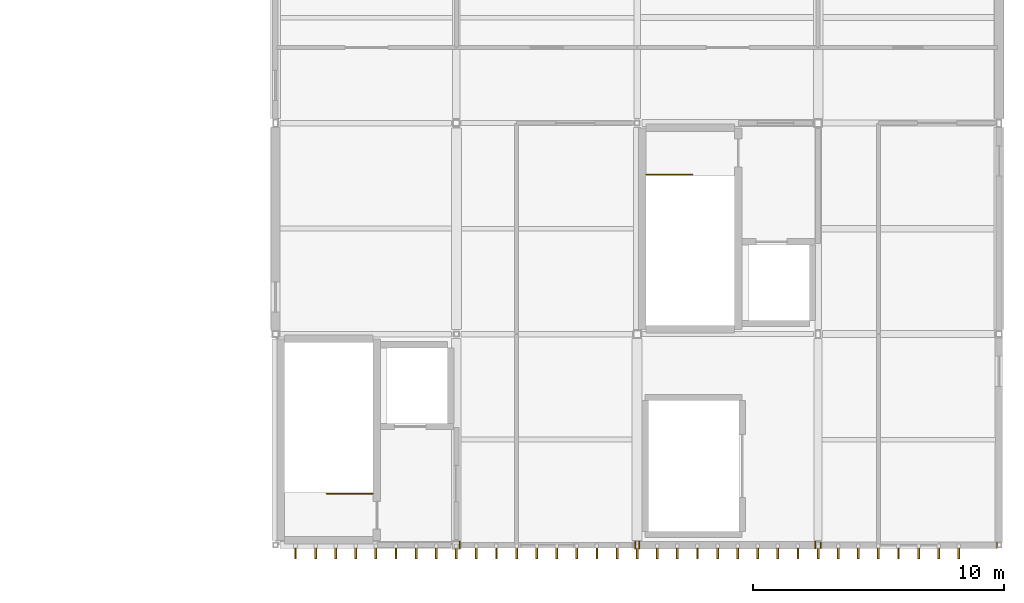
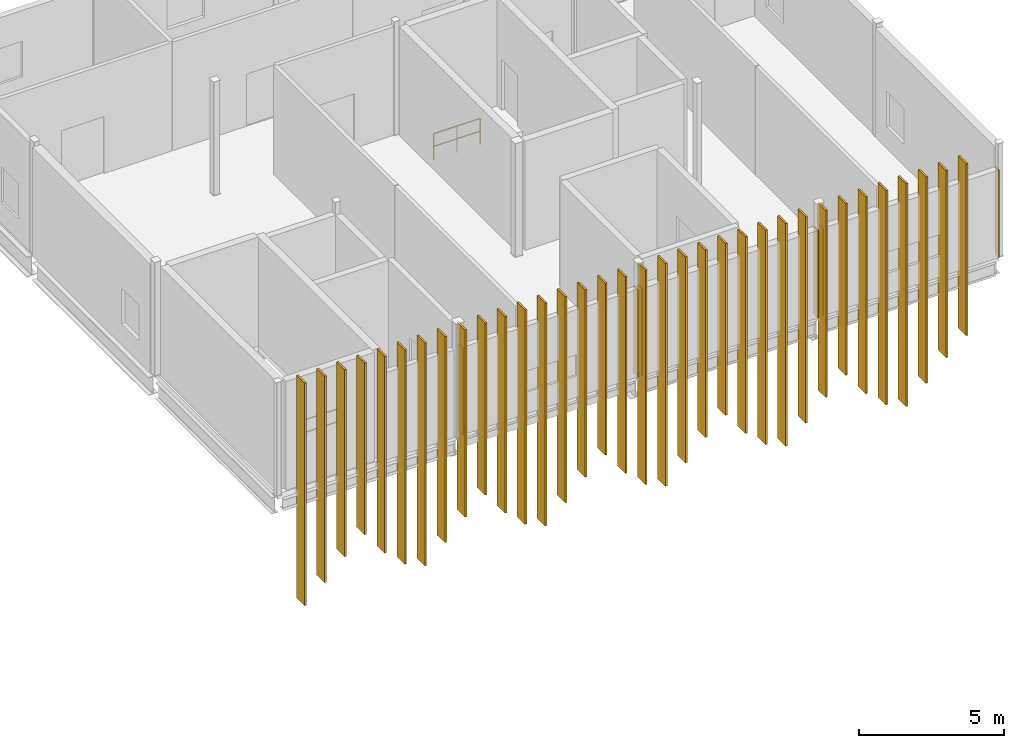
# One storey, part 26 of 27: 40 coverings, 2 railings.
"""IFC4 building model written with IfcOpenShell, lengths in metres."""

from ifc_helpers import new_model, si_unit, direction, frame, origin, origin_2d, place, context, subcontext, project, spatial, polyline, rectangle, circle, outline, extrude, material, layer, layer_set, type_object, element, save


model = new_model("IFC4")

# Units and contexts
model_context = context("Model", 3, precision=1e-05, world=origin(), true_north=direction((0.0, 1.0)))
body_context = subcontext(model_context, "Body", "Model", "MODEL_VIEW")
ifc_project = project(units=[si_unit("LENGTHUNIT", "METRE"), si_unit("AREAUNIT", "SQUARE_METRE"), si_unit("VOLUMEUNIT", "CUBIC_METRE"), si_unit("PLANEANGLEUNIT", "RADIAN"), si_unit("MASSUNIT", "GRAM", prefix="KILO")], contexts=[model_context])

# Site, building, storey
site_placement = place(None, origin())
site = spatial("IfcSite", under=ifc_project, at=site_placement, CompositionType="ELEMENT")
building_placement = place(site_placement, origin())
building = spatial("IfcBuilding", under=site, at=building_placement, Name="Calvrana Isthmian Art Gallery", CompositionType="ELEMENT")
storey_placement = place(building_placement, frame((0.0, 0.0, 24.60009765625)))
storey = spatial("IfcBuildingStorey", under=building, at=storey_placement, Name="L05", CompositionType="ELEMENT", Elevation=24.60009765625)

# Coverings
ifc_material_1 = material(Name="Polychrome glazed terracotta", Category="masonry")
ifc_layer_1 = layer(ifc_material_1, 0.0400390625, Name="Polychrome glazed terracotta")
ifc_layer_set_1 = layer_set([ifc_layer_1], Name="Polychrome glazed terracotta")
covering_type_1 = type_object("IfcCoveringType", Name="COV-CLAD-TERRA", PredefinedType="CLADDING", material=ifc_layer_set_1)
covering_1_placement = place(storey_placement, origin())
element("IfcCovering", 1, at=covering_1_placement, inside=storey, type_object=covering_type_1, Name="Column pocket weather closure L05-15-03-W", PredefinedType="CLADDING", context=body_context, shape_type="SweptSolid", body=[
    extrude(outline(polyline([(120.1123046875, 21.45263671875), (120.15234375, 21.45263671875), (120.15234375, 21.747314453125), (120.1123046875, 21.747314453125), (120.1123046875, 21.45263671875)])), origin(), (0.0, 0.0, 1.0), 3.69482421875),
])
covering_2_placement = place(storey_placement, origin())
element("IfcCovering", 2, at=covering_2_placement, inside=storey, type_object=covering_type_1, Name="Column pocket weather closure L05-15-03-E", PredefinedType="CLADDING", context=body_context, shape_type="SweptSolid", body=[
    extrude(outline(polyline([(127.098388671875, 21.45263671875), (127.138427734375, 21.45263671875), (127.138427734375, 21.747314453125), (127.098388671875, 21.747314453125), (127.098388671875, 21.45263671875)])), origin(), (0.0, 0.0, 1.0), 3.69482421875),
])
covering_3_placement = place(storey_placement, origin())
element("IfcCovering", 3, at=covering_3_placement, inside=storey, type_object=covering_type_1, Name="Column pocket weather closure L05-16-03-W", PredefinedType="CLADDING", context=body_context, shape_type="SweptSolid", body=[
    extrude(outline(polyline([(127.26171875, 21.449951171875), (127.301513671875, 21.449951171875), (127.301513671875, 21.75), (127.26171875, 21.75), (127.26171875, 21.449951171875)])), origin(), (0.0, 0.0, 1.0), 3.69482421875),
])
covering_4_placement = place(storey_placement, origin())
element("IfcCovering", 4, at=covering_4_placement, inside=storey, type_object=covering_type_1, Name="Column pocket weather closure L05-16-03-E", PredefinedType="CLADDING", context=body_context, shape_type="SweptSolid", body=[
    extrude(outline(polyline([(134.27294921875, 21.449951171875), (134.31298828125, 21.449951171875), (134.31298828125, 21.75), (134.27294921875, 21.75), (134.27294921875, 21.449951171875)])), origin(), (0.0, 0.0, 1.0), 3.69482421875),
])
covering_5_placement = place(storey_placement, origin())
element("IfcCovering", 5, at=covering_5_placement, inside=storey, type_object=covering_type_1, Name="Column pocket weather closure L05-17-03-W", PredefinedType="CLADDING", context=body_context, shape_type="SweptSolid", body=[
    extrude(outline(polyline([(134.487060546875, 21.47509765625), (134.527099609375, 21.47509765625), (134.527099609375, 21.72509765625), (134.487060546875, 21.72509765625), (134.487060546875, 21.47509765625)])), origin(), (0.0, 0.0, 1.0), 3.69482421875),
])
covering_6_placement = place(storey_placement, origin())
element("IfcCovering", 6, at=covering_6_placement, inside=storey, type_object=covering_type_1, Name="Column pocket weather closure L05-17-03-E", PredefinedType="CLADDING", context=body_context, shape_type="SweptSolid", body=[
    extrude(outline(polyline([(141.498291015625, 21.47509765625), (141.538330078125, 21.47509765625), (141.538330078125, 21.72509765625), (141.498291015625, 21.72509765625), (141.498291015625, 21.47509765625)])), origin(), (0.0, 0.0, 1.0), 3.69482421875),
])
ifc_material_2 = material(Name="Anodized bronze aluminium 6063-T6", Category="aluminium")
ifc_layer_2 = layer(ifc_material_2, 0.074951171875, Name="Anodized bronze aluminium 6063-T6")
ifc_layer_set_2 = layer_set([ifc_layer_2], Name="Anodized bronze aluminium 6063-T6")
covering_type_2 = type_object("IfcCoveringType", Name="COV-FIN-550", PredefinedType="CLADDING", material=ifc_layer_set_2)
covering_7_placement = place(storey_placement, frame((113.60009765625, 21.326904296875, -4.650146484375), z_axis=(0.0, 0.0, 1.0), x_axis=(1.0, 0.0, 0.0)))
element("IfcCovering", 7, at=covering_7_placement, inside=storey, type_object=covering_type_2, Name="Anodized bronze vertical solar fin FN-223", PredefinedType="CLADDING", context=body_context, shape_type="SweptSolid", body=[
    extrude(rectangle(XDim=0.074951171875, YDim=0.550048828125, at=origin_2d()), origin(), (0.0, 0.0, 1.0), 9.39990234375),
])
covering_8_placement = place(storey_placement, frame((114.39990234375, 21.326904296875, -3.9501953125), z_axis=(0.0, 0.0, 1.0), x_axis=(1.0, 0.0, 0.0)))
element("IfcCovering", 8, at=covering_8_placement, inside=storey, type_object=covering_type_2, Name="Anodized bronze vertical solar fin FN-224", PredefinedType="CLADDING", context=body_context, shape_type="SweptSolid", body=[
    extrude(rectangle(XDim=0.074951171875, YDim=0.550048828125, at=origin_2d()), origin(), (0.0, 0.0, 1.0), 8.699951171875),
])
covering_9_placement = place(storey_placement, frame((115.199951171875, 21.326904296875, -3.150146484375), z_axis=(0.0, 0.0, 1.0), x_axis=(1.0, 0.0, 0.0)))
element("IfcCovering", 9, at=covering_9_placement, inside=storey, type_object=covering_type_2, Name="Anodized bronze vertical solar fin FN-225", PredefinedType="CLADDING", context=body_context, shape_type="SweptSolid", body=[
    extrude(rectangle(XDim=0.074951171875, YDim=0.550048828125, at=origin_2d()), origin(), (0.0, 0.0, 1.0), 7.89990234375),
])
covering_10_placement = place(storey_placement, frame((116.0, 21.326904296875, -2.5), z_axis=(0.0, 0.0, 1.0), x_axis=(1.0, 0.0, 0.0)))
element("IfcCovering", 10, at=covering_10_placement, inside=storey, type_object=covering_type_2, Name="Anodized bronze vertical solar fin FN-226", PredefinedType="CLADDING", context=body_context, shape_type="SweptSolid", body=[
    extrude(rectangle(XDim=0.074951171875, YDim=0.550048828125, at=origin_2d()), origin(), (0.0, 0.0, 1.0), 7.25),
])
covering_11_placement = place(storey_placement, frame((116.800048828125, 21.326904296875, -3.55029296875), z_axis=(0.0, 0.0, 1.0), x_axis=(1.0, 0.0, 0.0)))
element("IfcCovering", 11, at=covering_11_placement, inside=storey, type_object=covering_type_2, Name="Anodized bronze vertical solar fin FN-227", PredefinedType="CLADDING", context=body_context, shape_type="SweptSolid", body=[
    extrude(rectangle(XDim=0.074951171875, YDim=0.550048828125, at=origin_2d()), origin(), (0.0, 0.0, 1.0), 8.300048828125),
])
covering_12_placement = place(storey_placement, frame((117.60009765625, 21.326904296875, -4.30029296875), z_axis=(0.0, 0.0, 1.0), x_axis=(1.0, 0.0, 0.0)))
element("IfcCovering", 12, at=covering_12_placement, inside=storey, type_object=covering_type_2, Name="Anodized bronze vertical solar fin FN-228", PredefinedType="CLADDING", context=body_context, shape_type="SweptSolid", body=[
    extrude(rectangle(XDim=0.074951171875, YDim=0.550048828125, at=origin_2d()), origin(), (0.0, 0.0, 1.0), 9.050048828125),
])
covering_13_placement = place(storey_placement, frame((118.39990234375, 21.326904296875, -4.650146484375), z_axis=(0.0, 0.0, 1.0), x_axis=(1.0, 0.0, 0.0)))
element("IfcCovering", 13, at=covering_13_placement, inside=storey, type_object=covering_type_2, Name="Anodized bronze vertical solar fin FN-229", PredefinedType="CLADDING", context=body_context, shape_type="SweptSolid", body=[
    extrude(rectangle(XDim=0.074951171875, YDim=0.550048828125, at=origin_2d()), origin(), (0.0, 0.0, 1.0), 9.39990234375),
])
covering_14_placement = place(storey_placement, frame((119.199951171875, 21.326904296875, -3.9501953125), z_axis=(0.0, 0.0, 1.0), x_axis=(1.0, 0.0, 0.0)))
element("IfcCovering", 14, at=covering_14_placement, inside=storey, type_object=covering_type_2, Name="Anodized bronze vertical solar fin FN-230", PredefinedType="CLADDING", context=body_context, shape_type="SweptSolid", body=[
    extrude(rectangle(XDim=0.074951171875, YDim=0.550048828125, at=origin_2d()), origin(), (0.0, 0.0, 1.0), 8.699951171875),
])
covering_15_placement = place(storey_placement, frame((120.0, 21.326904296875, -3.150146484375), z_axis=(0.0, 0.0, 1.0), x_axis=(1.0, 0.0, 0.0)))
element("IfcCovering", 15, at=covering_15_placement, inside=storey, type_object=covering_type_2, Name="Anodized bronze vertical solar fin FN-231", PredefinedType="CLADDING", context=body_context, shape_type="SweptSolid", body=[
    extrude(rectangle(XDim=0.074951171875, YDim=0.550048828125, at=origin_2d()), origin(), (0.0, 0.0, 1.0), 7.89990234375),
])
covering_16_placement = place(storey_placement, frame((120.800048828125, 21.326904296875, -2.5), z_axis=(0.0, 0.0, 1.0), x_axis=(1.0, 0.0, 0.0)))
element("IfcCovering", 16, at=covering_16_placement, inside=storey, type_object=covering_type_2, Name="Anodized bronze vertical solar fin FN-232", PredefinedType="CLADDING", context=body_context, shape_type="SweptSolid", body=[
    extrude(rectangle(XDim=0.074951171875, YDim=0.550048828125, at=origin_2d()), origin(), (0.0, 0.0, 1.0), 7.25),
])
covering_17_placement = place(storey_placement, frame((121.60009765625, 21.326904296875, -3.55029296875), z_axis=(0.0, 0.0, 1.0), x_axis=(1.0, 0.0, 0.0)))
element("IfcCovering", 17, at=covering_17_placement, inside=storey, type_object=covering_type_2, Name="Anodized bronze vertical solar fin FN-233", PredefinedType="CLADDING", context=body_context, shape_type="SweptSolid", body=[
    extrude(rectangle(XDim=0.074951171875, YDim=0.550048828125, at=origin_2d()), origin(), (0.0, 0.0, 1.0), 8.300048828125),
])
covering_18_placement = place(storey_placement, frame((122.39990234375, 21.326904296875, -4.30029296875), z_axis=(0.0, 0.0, 1.0), x_axis=(1.0, 0.0, 0.0)))
element("IfcCovering", 18, at=covering_18_placement, inside=storey, type_object=covering_type_2, Name="Anodized bronze vertical solar fin FN-234", PredefinedType="CLADDING", context=body_context, shape_type="SweptSolid", body=[
    extrude(rectangle(XDim=0.074951171875, YDim=0.550048828125, at=origin_2d()), origin(), (0.0, 0.0, 1.0), 9.050048828125),
])
covering_19_placement = place(storey_placement, frame((123.199951171875, 21.326904296875, -4.650146484375), z_axis=(0.0, 0.0, 1.0), x_axis=(1.0, 0.0, 0.0)))
element("IfcCovering", 19, at=covering_19_placement, inside=storey, type_object=covering_type_2, Name="Anodized bronze vertical solar fin FN-235", PredefinedType="CLADDING", context=body_context, shape_type="SweptSolid", body=[
    extrude(rectangle(XDim=0.074951171875, YDim=0.550048828125, at=origin_2d()), origin(), (0.0, 0.0, 1.0), 9.39990234375),
])
covering_20_placement = place(storey_placement, frame((124.0, 21.326904296875, -3.9501953125), z_axis=(0.0, 0.0, 1.0), x_axis=(1.0, 0.0, 0.0)))
element("IfcCovering", 20, at=covering_20_placement, inside=storey, type_object=covering_type_2, Name="Anodized bronze vertical solar fin FN-236", PredefinedType="CLADDING", context=body_context, shape_type="SweptSolid", body=[
    extrude(rectangle(XDim=0.074951171875, YDim=0.550048828125, at=origin_2d()), origin(), (0.0, 0.0, 1.0), 8.699951171875),
])
covering_21_placement = place(storey_placement, frame((124.800048828125, 21.326904296875, -3.150146484375), z_axis=(0.0, 0.0, 1.0), x_axis=(1.0, 0.0, 0.0)))
element("IfcCovering", 21, at=covering_21_placement, inside=storey, type_object=covering_type_2, Name="Anodized bronze vertical solar fin FN-237", PredefinedType="CLADDING", context=body_context, shape_type="SweptSolid", body=[
    extrude(rectangle(XDim=0.074951171875, YDim=0.550048828125, at=origin_2d()), origin(), (0.0, 0.0, 1.0), 7.89990234375),
])
covering_22_placement = place(storey_placement, frame((125.60009765625, 21.326904296875, -2.5), z_axis=(0.0, 0.0, 1.0), x_axis=(1.0, 0.0, 0.0)))
element("IfcCovering", 22, at=covering_22_placement, inside=storey, type_object=covering_type_2, Name="Anodized bronze vertical solar fin FN-238", PredefinedType="CLADDING", context=body_context, shape_type="SweptSolid", body=[
    extrude(rectangle(XDim=0.074951171875, YDim=0.550048828125, at=origin_2d()), origin(), (0.0, 0.0, 1.0), 7.25),
])
covering_23_placement = place(storey_placement, frame((126.39990234375, 21.326904296875, -3.55029296875), z_axis=(0.0, 0.0, 1.0), x_axis=(1.0, 0.0, 0.0)))
element("IfcCovering", 23, at=covering_23_placement, inside=storey, type_object=covering_type_2, Name="Anodized bronze vertical solar fin FN-239", PredefinedType="CLADDING", context=body_context, shape_type="SweptSolid", body=[
    extrude(rectangle(XDim=0.074951171875, YDim=0.550048828125, at=origin_2d()), origin(), (0.0, 0.0, 1.0), 8.300048828125),
])
covering_24_placement = place(storey_placement, frame((127.199951171875, 21.326904296875, -4.30029296875), z_axis=(0.0, 0.0, 1.0), x_axis=(1.0, 0.0, 0.0)))
element("IfcCovering", 24, at=covering_24_placement, inside=storey, type_object=covering_type_2, Name="Anodized bronze vertical solar fin FN-240", PredefinedType="CLADDING", context=body_context, shape_type="SweptSolid", body=[
    extrude(rectangle(XDim=0.074951171875, YDim=0.550048828125, at=origin_2d()), origin(), (0.0, 0.0, 1.0), 9.050048828125),
])
covering_25_placement = place(storey_placement, frame((128.0, 21.326904296875, -4.650146484375), z_axis=(0.0, 0.0, 1.0), x_axis=(1.0, 0.0, 0.0)))
element("IfcCovering", 25, at=covering_25_placement, inside=storey, type_object=covering_type_2, Name="Anodized bronze vertical solar fin FN-241", PredefinedType="CLADDING", context=body_context, shape_type="SweptSolid", body=[
    extrude(rectangle(XDim=0.074951171875, YDim=0.550048828125, at=origin_2d()), origin(), (0.0, 0.0, 1.0), 9.39990234375),
])
covering_26_placement = place(storey_placement, frame((128.800048828125, 21.326904296875, -3.9501953125), z_axis=(0.0, 0.0, 1.0), x_axis=(1.0, 0.0, 0.0)))
element("IfcCovering", 26, at=covering_26_placement, inside=storey, type_object=covering_type_2, Name="Anodized bronze vertical solar fin FN-242", PredefinedType="CLADDING", context=body_context, shape_type="SweptSolid", body=[
    extrude(rectangle(XDim=0.074951171875, YDim=0.550048828125, at=origin_2d()), origin(), (0.0, 0.0, 1.0), 8.699951171875),
])
covering_27_placement = place(storey_placement, frame((129.60009765625, 21.326904296875, -3.150146484375), z_axis=(0.0, 0.0, 1.0), x_axis=(1.0, 0.0, 0.0)))
element("IfcCovering", 27, at=covering_27_placement, inside=storey, type_object=covering_type_2, Name="Anodized bronze vertical solar fin FN-243", PredefinedType="CLADDING", context=body_context, shape_type="SweptSolid", body=[
    extrude(rectangle(XDim=0.074951171875, YDim=0.550048828125, at=origin_2d()), origin(), (0.0, 0.0, 1.0), 7.89990234375),
])
covering_28_placement = place(storey_placement, frame((130.39990234375, 21.326904296875, -2.5), z_axis=(0.0, 0.0, 1.0), x_axis=(1.0, 0.0, 0.0)))
element("IfcCovering", 28, at=covering_28_placement, inside=storey, type_object=covering_type_2, Name="Anodized bronze vertical solar fin FN-244", PredefinedType="CLADDING", context=body_context, shape_type="SweptSolid", body=[
    extrude(rectangle(XDim=0.074951171875, YDim=0.550048828125, at=origin_2d()), origin(), (0.0, 0.0, 1.0), 7.25),
])
covering_29_placement = place(storey_placement, frame((131.199951171875, 21.326904296875, -3.55029296875), z_axis=(0.0, 0.0, 1.0), x_axis=(1.0, 0.0, 0.0)))
element("IfcCovering", 29, at=covering_29_placement, inside=storey, type_object=covering_type_2, Name="Anodized bronze vertical solar fin FN-245", PredefinedType="CLADDING", context=body_context, shape_type="SweptSolid", body=[
    extrude(rectangle(XDim=0.074951171875, YDim=0.550048828125, at=origin_2d()), origin(), (0.0, 0.0, 1.0), 8.300048828125),
])
covering_30_placement = place(storey_placement, frame((132.0, 21.326904296875, -4.30029296875), z_axis=(0.0, 0.0, 1.0), x_axis=(1.0, 0.0, 0.0)))
element("IfcCovering", 30, at=covering_30_placement, inside=storey, type_object=covering_type_2, Name="Anodized bronze vertical solar fin FN-246", PredefinedType="CLADDING", context=body_context, shape_type="SweptSolid", body=[
    extrude(rectangle(XDim=0.074951171875, YDim=0.550048828125, at=origin_2d()), origin(), (0.0, 0.0, 1.0), 9.050048828125),
])
covering_31_placement = place(storey_placement, frame((132.800048828125, 21.326904296875, -4.650146484375), z_axis=(0.0, 0.0, 1.0), x_axis=(1.0, 0.0, 0.0)))
element("IfcCovering", 31, at=covering_31_placement, inside=storey, type_object=covering_type_2, Name="Anodized bronze vertical solar fin FN-247", PredefinedType="CLADDING", context=body_context, shape_type="SweptSolid", body=[
    extrude(rectangle(XDim=0.074951171875, YDim=0.550048828125, at=origin_2d()), origin(), (0.0, 0.0, 1.0), 9.39990234375),
])
covering_32_placement = place(storey_placement, frame((133.60009765625, 21.326904296875, -3.9501953125), z_axis=(0.0, 0.0, 1.0), x_axis=(1.0, 0.0, 0.0)))
element("IfcCovering", 32, at=covering_32_placement, inside=storey, type_object=covering_type_2, Name="Anodized bronze vertical solar fin FN-248", PredefinedType="CLADDING", context=body_context, shape_type="SweptSolid", body=[
    extrude(rectangle(XDim=0.074951171875, YDim=0.550048828125, at=origin_2d()), origin(), (0.0, 0.0, 1.0), 8.699951171875),
])
covering_33_placement = place(storey_placement, frame((134.39990234375, 21.326904296875, -3.150146484375), z_axis=(0.0, 0.0, 1.0), x_axis=(1.0, 0.0, 0.0)))
element("IfcCovering", 33, at=covering_33_placement, inside=storey, type_object=covering_type_2, Name="Anodized bronze vertical solar fin FN-249", PredefinedType="CLADDING", context=body_context, shape_type="SweptSolid", body=[
    extrude(rectangle(XDim=0.074951171875, YDim=0.550048828125, at=origin_2d()), origin(), (0.0, 0.0, 1.0), 7.89990234375),
])
covering_34_placement = place(storey_placement, frame((135.199951171875, 21.326904296875, -2.5), z_axis=(0.0, 0.0, 1.0), x_axis=(1.0, 0.0, 0.0)))
element("IfcCovering", 34, at=covering_34_placement, inside=storey, type_object=covering_type_2, Name="Anodized bronze vertical solar fin FN-250", PredefinedType="CLADDING", context=body_context, shape_type="SweptSolid", body=[
    extrude(rectangle(XDim=0.074951171875, YDim=0.550048828125, at=origin_2d()), origin(), (0.0, 0.0, 1.0), 7.25),
])
covering_35_placement = place(storey_placement, frame((136.0, 21.326904296875, -3.55029296875), z_axis=(0.0, 0.0, 1.0), x_axis=(1.0, 0.0, 0.0)))
element("IfcCovering", 35, at=covering_35_placement, inside=storey, type_object=covering_type_2, Name="Anodized bronze vertical solar fin FN-251", PredefinedType="CLADDING", context=body_context, shape_type="SweptSolid", body=[
    extrude(rectangle(XDim=0.074951171875, YDim=0.550048828125, at=origin_2d()), origin(), (0.0, 0.0, 1.0), 8.300048828125),
])
covering_36_placement = place(storey_placement, frame((136.800048828125, 21.326904296875, -4.30029296875), z_axis=(0.0, 0.0, 1.0), x_axis=(1.0, 0.0, 0.0)))
element("IfcCovering", 36, at=covering_36_placement, inside=storey, type_object=covering_type_2, Name="Anodized bronze vertical solar fin FN-252", PredefinedType="CLADDING", context=body_context, shape_type="SweptSolid", body=[
    extrude(rectangle(XDim=0.074951171875, YDim=0.550048828125, at=origin_2d()), origin(), (0.0, 0.0, 1.0), 9.050048828125),
])
covering_37_placement = place(storey_placement, frame((137.60009765625, 21.326904296875, -4.650146484375), z_axis=(0.0, 0.0, 1.0), x_axis=(1.0, 0.0, 0.0)))
element("IfcCovering", 37, at=covering_37_placement, inside=storey, type_object=covering_type_2, Name="Anodized bronze vertical solar fin FN-253", PredefinedType="CLADDING", context=body_context, shape_type="SweptSolid", body=[
    extrude(rectangle(XDim=0.074951171875, YDim=0.550048828125, at=origin_2d()), origin(), (0.0, 0.0, 1.0), 9.39990234375),
])
covering_38_placement = place(storey_placement, frame((138.39990234375, 21.326904296875, -3.9501953125), z_axis=(0.0, 0.0, 1.0), x_axis=(1.0, 0.0, 0.0)))
element("IfcCovering", 38, at=covering_38_placement, inside=storey, type_object=covering_type_2, Name="Anodized bronze vertical solar fin FN-254", PredefinedType="CLADDING", context=body_context, shape_type="SweptSolid", body=[
    extrude(rectangle(XDim=0.074951171875, YDim=0.550048828125, at=origin_2d()), origin(), (0.0, 0.0, 1.0), 8.699951171875),
])
covering_39_placement = place(storey_placement, frame((139.199951171875, 21.326904296875, -3.150146484375), z_axis=(0.0, 0.0, 1.0), x_axis=(1.0, 0.0, 0.0)))
element("IfcCovering", 39, at=covering_39_placement, inside=storey, type_object=covering_type_2, Name="Anodized bronze vertical solar fin FN-255", PredefinedType="CLADDING", context=body_context, shape_type="SweptSolid", body=[
    extrude(rectangle(XDim=0.074951171875, YDim=0.550048828125, at=origin_2d()), origin(), (0.0, 0.0, 1.0), 7.89990234375),
])
covering_40_placement = place(storey_placement, frame((140.0, 21.326904296875, -2.5), z_axis=(0.0, 0.0, 1.0), x_axis=(1.0, 0.0, 0.0)))
element("IfcCovering", 40, at=covering_40_placement, inside=storey, type_object=covering_type_2, Name="Anodized bronze vertical solar fin FN-256", PredefinedType="CLADDING", context=body_context, shape_type="SweptSolid", body=[
    extrude(rectangle(XDim=0.074951171875, YDim=0.550048828125, at=origin_2d()), origin(), (0.0, 0.0, 1.0), 7.25),
])

# Railings
ifc_material_3 = material(Name="Stainless steel 316", Category="steel")
railing_type = type_object("IfcRailingType", Name="RL-GUARD-1120", PredefinedType="BALUSTRADE", material=ifc_material_3)
railing_1_placement = place(storey_placement, frame((116.68994140625, 23.64990234375, 0.0)))
element("IfcRailing", 41, at=railing_1_placement, inside=storey, type_object=railing_type, Name="Stair ST-3 top well guard 1", PredefinedType="BALUSTRADE", context=body_context, shape_type="SweptSolid", body=[
    extrude(circle(Radius=0.02392578125, at=origin_2d()), frame((0.0, 0.0, 1.09619140625), z_axis=(-1.0, 0.0, 0.0), x_axis=(0.0, -1.0, 0.0)), (0.0, 0.0, 1.0), 1.85986328125),
    extrude(circle(Radius=0.02392578125, at=origin_2d()), frame((0.0, 0.0, 0.56005859375), z_axis=(-1.0, 0.0, 0.0), x_axis=(0.0, -1.0, 0.0)), (0.0, 0.0, 1.0), 1.85986328125),
    extrude(circle(Radius=0.02099609375, at=origin_2d()), origin(), (0.0, 0.0, 1.0), 1.072021484375),
    extrude(circle(Radius=0.02099609375, at=origin_2d()), frame((-0.929931640625, 0.0, 0.0)), (0.0, 0.0, 1.0), 1.072021484375),
    extrude(circle(Radius=0.02099609375, at=origin_2d()), frame((-1.85986328125, 0.0, 0.0)), (0.0, 0.0, 1.0), 1.072021484375),
])
railing_2_placement = place(storey_placement, frame((127.550048828125, 36.35009765625, 0.0)))
element("IfcRailing", 42, at=railing_2_placement, inside=storey, type_object=railing_type, Name="Stair ST-4 top well guard 1", PredefinedType="BALUSTRADE", context=body_context, shape_type="SweptSolid", body=[
    extrude(circle(Radius=0.02392578125, at=origin_2d()), frame((0.0, 0.0, 1.09619140625), z_axis=(1.0, 0.0, 0.0), x_axis=(0.0, 1.0, 0.0)), (0.0, 0.0, 1.0), 1.85986328125),
    extrude(circle(Radius=0.02392578125, at=origin_2d()), frame((0.0, 0.0, 0.56005859375), z_axis=(1.0, 0.0, 0.0), x_axis=(0.0, 1.0, 0.0)), (0.0, 0.0, 1.0), 1.85986328125),
    extrude(circle(Radius=0.02099609375, at=origin_2d()), origin(), (0.0, 0.0, 1.0), 1.072021484375),
    extrude(circle(Radius=0.02099609375, at=origin_2d()), frame((0.929931640625, 0.0, 0.0)), (0.0, 0.0, 1.0), 1.072021484375),
    extrude(circle(Radius=0.02099609375, at=origin_2d()), frame((1.85986328125, 0.0, 0.0)), (0.0, 0.0, 1.0), 1.072021484375),
])

save(model, "model.ifc")
